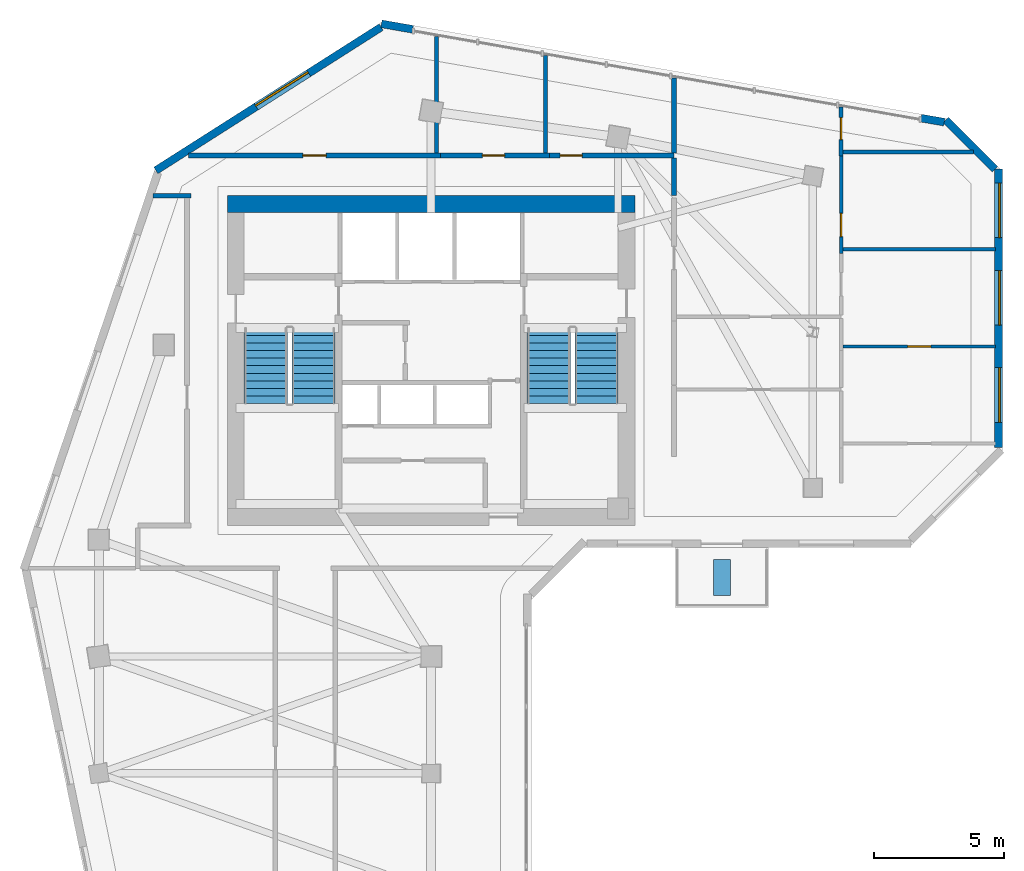
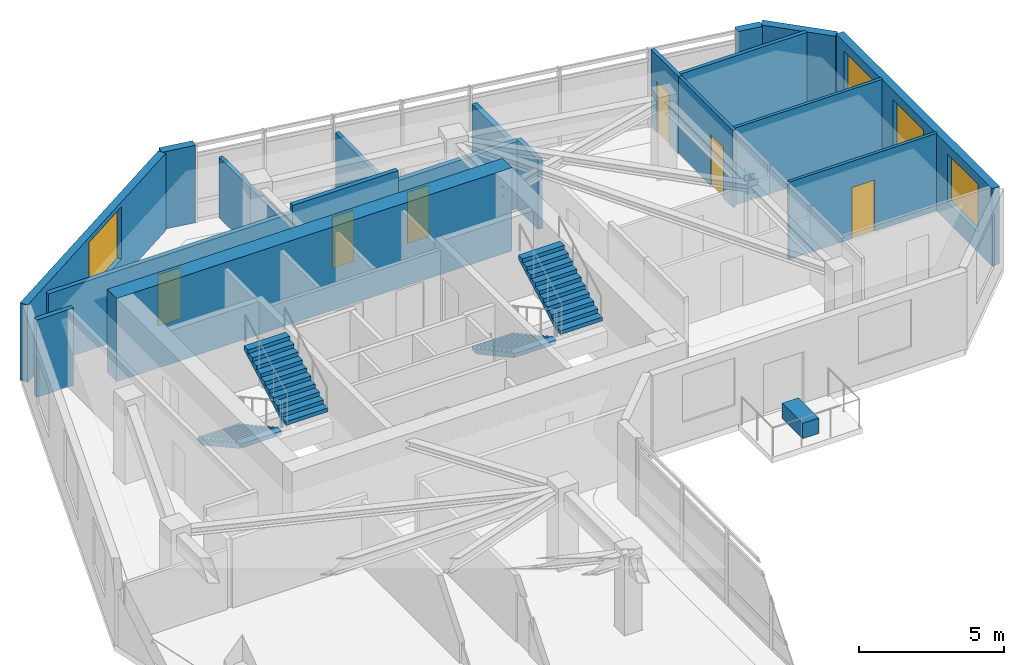
# One storey, part 6 of 9: 19 walls, 6 doors, 4 stair flights, 4 windows, 1 discrete accessory, 10 openings, 2 elements without a shape of their own.
"""IFC4 building model written with IfcOpenShell, lengths in metres."""

from ifc_helpers import new_model, si_unit, direction, frame, frame_2d, origin, origin_2d, place, context, subcontext, project, spatial, polyline, rectangle, outline, extrude, source, transform, mapped, material, layer, layer_set, type_object, element, fill, aggregate, save


model = new_model("IFC4")

# Units and contexts
model_context = context("Model", 3, precision=1e-05, world=origin(), true_north=direction((0.0, 1.0)))
body_context = subcontext(model_context, "Body", "Model", "MODEL_VIEW")
ifc_project = project(units=[si_unit("LENGTHUNIT", "METRE"), si_unit("AREAUNIT", "SQUARE_METRE"), si_unit("VOLUMEUNIT", "CUBIC_METRE"), si_unit("PLANEANGLEUNIT", "RADIAN"), si_unit("MASSUNIT", "GRAM", prefix="KILO")], contexts=[model_context])

# Site, building, storey
site_placement = place(None, origin())
site = spatial("IfcSite", under=ifc_project, at=site_placement, CompositionType="ELEMENT")
building_placement = place(site_placement, origin())
building = spatial("IfcBuilding", under=site, at=building_placement, Name="Calvemar Wedge Station Tower", CompositionType="ELEMENT")
storey_placement = place(building_placement, frame((0.0, 0.0, 232.39990234375)))
storey = spatial("IfcBuildingStorey", under=building, at=storey_placement, Name="L59", CompositionType="ELEMENT", Elevation=232.39990234375)

# Walls
ifc_material_1 = material(Name="Concrete C60", Category="concrete")
ifc_layer_1 = layer(ifc_material_1, 0.64990234375)
ifc_layer_set_1 = layer_set([ifc_layer_1], Name="Concrete C60")
wall_type_1 = type_object("IfcWallType", Name="SW-CORE-650", PredefinedType="SHEAR", material=ifc_layer_set_1)
wall_1_placement = place(storey_placement, frame((15.949951171875, 45.925048828125, 0.0), z_axis=(0.0, 0.0, 1.0), x_axis=(1.0, 0.0, 0.0)))
element("IfcWall", 1, at=wall_1_placement, inside=storey, type_object=wall_type_1, Name="Storey L59 Core Shear Wall N", PredefinedType="SHEAR", context=body_context, shape_type="SweptSolid", body=[
    extrude(rectangle(XDim=15.699951171875, YDim=0.64990234375, at=frame_2d((7.85009765625, 0.0))), origin(), (0.0, 0.0, 1.0), 3.5),
])
ifc_material_2 = material(Name="Double-stud fire-rated corridor partition")
ifc_layer_2 = layer(ifc_material_2, 0.179931640625)
ifc_layer_set_2 = layer_set([ifc_layer_2], Name="Double-stud fire-rated corridor partition")
wall_type_2 = type_object("IfcWallType", Name="W-CORR-180", PredefinedType="PARTITIONING", material=ifc_layer_set_2)
wall_2_placement = place(storey_placement, frame((14.56005859375, 46.25, 0.0), z_axis=(0.0, 0.0, 1.0), x_axis=(-1.0, 0.0, 0.0)))
element("IfcWall", 2, at=wall_2_placement, inside=storey, type_object=wall_type_2, Name="Storey L59 Interior Partition WL-L59-011", PredefinedType="PARTITIONING", context=body_context, shape_type="SweptSolid", body=[
    extrude(rectangle(XDim=1.46875, YDim=0.179931640625, at=frame_2d((0.734375, 0.0))), origin(), (0.0, 0.0, 1.0), 3.25),
])

# Wall, opening, door
wall_3_placement = place(storey_placement, frame((14.45263671875, 47.800048828125, 0.0), z_axis=(0.0, 0.0, 1.0), x_axis=(1.0, 0.0, 0.0)))
wall_3 = element("IfcWall", 3, at=wall_3_placement, inside=storey, type_object=wall_type_2, Name="Storey L59 Interior Partition WL-L59-012", PredefinedType="PARTITIONING", context=body_context, shape_type="SweptSolid", body=[
    extrude(rectangle(XDim=9.707275390625, YDim=0.179931640625, at=frame_2d((4.853515625, 0.0))), origin(), (0.0, 0.0, 1.0), 2.93408203125),
])
shared_shape_1 = source(origin(), body_context, "Body", "SweptSolid", [
    extrude(rectangle(XDim=0.89990234375, YDim=2.14990234375, at=frame_2d((0.449951171875, 1.074951171875))), frame((0.0, 0.10009765625, 0.0), z_axis=(0.0, -1.0, 0.0), x_axis=(1.0, 0.0, 0.0)), (0.0, 0.0, 1.0), 0.199951171875),
])
opening_1_placement = place(wall_3_placement, frame((4.40380859375, 0.0, 0.0)))
opening_1 = element("IfcOpeningElement", 4, at=opening_1_placement, cuts=wall_3, Name="Opening D-01", PredefinedType="OPENING", context=body_context, shape_type="MappedRepresentation", body=[
    mapped(shared_shape_1, transform((0.0, 0.0, 0.0), scale=1.0)),
])
ifc_material_3 = material(Name="Architectural hardwood acoustic swing door", Category="wood")
door_type_1 = type_object("IfcDoorType", Name="DR-INT-900", OperationType="NOTDEFINED", PredefinedType="DOOR", material=ifc_material_3)
shared_shape_2 = source(origin(), body_context, "Body", "SweptSolid", [
    extrude(rectangle(XDim=0.89990234375, YDim=2.14990234375, at=frame_2d((0.449951171875, 1.074951171875))), frame((0.0, 0.02490234375, 0.0), z_axis=(0.0, -1.0, 0.0), x_axis=(1.0, 0.0, 0.0)), (0.0, 0.0, 1.0), 0.050048828125),
])
door_1_placement = place(opening_1_placement, origin())
door_1 = element("IfcDoor", 5, at=door_1_placement, inside=storey, type_object=door_type_1, Name="L59 Cinema Club Room Door", OperationType="SINGLE_SWING_RIGHT", OverallHeight=2.14990234375, OverallWidth=0.89990234375, PredefinedType="DOOR", context=body_context, shape_type="MappedRepresentation", body=[
    mapped(shared_shape_2, transform((0.0, 0.0, 0.0), scale=1.0)),
])
fill(opening_1, door_1)

wall_4_placement = place(storey_placement, frame((24.162109375, 47.800048828125, 0.0), z_axis=(0.0, 0.0, 1.0), x_axis=(1.0, 0.0, 0.0)))
wall_4 = element("IfcWall", 6, at=wall_4_placement, inside=storey, type_object=wall_type_2, Name="Storey L59 Interior Partition WL-L59-013", PredefinedType="PARTITIONING", context=body_context, shape_type="SweptSolid", body=[
    extrude(rectangle(XDim=4.197998046875, YDim=0.179931640625, at=frame_2d((2.09912109375, 0.0))), origin(), (0.0, 0.0, 1.0), 3.25),
])
shared_shape_3 = source(origin(), body_context, "Body", "SweptSolid", [
    extrude(rectangle(XDim=0.85009765625, YDim=2.14990234375, at=frame_2d((0.425048828125, 1.074951171875))), frame((0.0, 0.10009765625, 0.0), z_axis=(0.0, -1.0, 0.0), x_axis=(1.0, 0.0, 0.0)), (0.0, 0.0, 1.0), 0.199951171875),
])
opening_2_placement = place(wall_4_placement, frame((1.61328125, 0.0, 0.0)))
opening_2 = element("IfcOpeningElement", 7, at=opening_2_placement, cuts=wall_4, Name="Opening D-02", PredefinedType="OPENING", context=body_context, shape_type="MappedRepresentation", body=[
    mapped(shared_shape_3, transform((0.0, 0.0, 0.0), scale=1.0)),
])
ifc_material_4 = material(Name="Moisture-sealed bathroom hardwood swing door", Category="wood")
door_type_2 = type_object("IfcDoorType", Name="DR-WET-850", OperationType="NOTDEFINED", PredefinedType="DOOR", material=ifc_material_4)
shared_shape_4 = source(origin(), body_context, "Body", "SweptSolid", [
    extrude(rectangle(XDim=0.85009765625, YDim=2.14990234375, at=frame_2d((0.425048828125, 1.074951171875))), frame((0.0, 0.02490234375, 0.0), z_axis=(0.0, -1.0, 0.0), x_axis=(1.0, 0.0, 0.0)), (0.0, 0.0, 1.0), 0.050048828125),
])
door_2_placement = place(opening_2_placement, origin())
door_2 = element("IfcDoor", 8, at=door_2_placement, inside=storey, type_object=door_type_2, Name="L59 Accessible WC Door", OperationType="SINGLE_SWING_LEFT", OverallHeight=2.14990234375, OverallWidth=0.85009765625, PredefinedType="DOOR", context=body_context, shape_type="MappedRepresentation", body=[
    mapped(shared_shape_4, transform((0.0, 0.0, 0.0), scale=1.0)),
])
fill(opening_2, door_2)

wall_5_placement = place(storey_placement, frame((28.362060546875, 47.800048828125, 0.0), z_axis=(0.0, 0.0, 1.0), x_axis=(1.0, 0.0, 0.0)))
wall_5 = element("IfcWall", 9, at=wall_5_placement, inside=storey, type_object=wall_type_2, Name="Storey L59 Interior Partition WL-L59-014", PredefinedType="PARTITIONING", context=body_context, shape_type="SweptSolid", body=[
    extrude(rectangle(XDim=4.787841796875, YDim=0.179931640625, at=frame_2d((2.39404296875, 0.0))), origin(), (0.0, 0.0, 1.0), 2.822021484375),
])
opening_3_placement = place(wall_5_placement, frame((0.400634765625, 0.0, 0.0)))
opening_3 = element("IfcOpeningElement", 10, at=opening_3_placement, cuts=wall_5, Name="Opening D-02", PredefinedType="OPENING", context=body_context, shape_type="MappedRepresentation", body=[
    mapped(shared_shape_3, transform((0.0, 0.0, 0.0), scale=1.0)),
])
door_3_placement = place(opening_3_placement, origin())
door_3 = element("IfcDoor", 11, at=door_3_placement, inside=storey, type_object=door_type_2, Name="L59 Storage Room Door", OperationType="SINGLE_SWING_RIGHT", OverallHeight=2.14990234375, OverallWidth=0.85009765625, PredefinedType="DOOR", context=body_context, shape_type="MappedRepresentation", body=[
    mapped(shared_shape_4, transform((0.0, 0.0, 0.0), scale=1.0)),
])
fill(opening_3, door_3)

# Walls
wall_6_placement = place(storey_placement, frame((33.14990234375, 47.7060546875, 0.0), z_axis=(0.0, 0.0, 1.0), x_axis=(0.0, -1.0, 0.0)))
element("IfcWall", 12, at=wall_6_placement, inside=storey, type_object=wall_type_2, Name="Storey L59 Interior Partition WL-L59-015", PredefinedType="PARTITIONING", context=body_context, shape_type="SweptSolid", body=[
    extrude(rectangle(XDim=1.4560546875, YDim=0.179931640625, at=frame_2d((0.72802734375, 0.0))), origin(), (0.0, 0.0, 1.0), 2.93408203125),
])
ifc_material_5 = material(Name="Twin-stud fire-rated inter-tenancy wall")
ifc_layer_3 = layer(ifc_material_5, 0.199951171875)
ifc_layer_set_3 = layer_set([ifc_layer_3], Name="Twin-stud fire-rated inter-tenancy wall")
wall_type_3 = type_object("IfcWallType", Name="W-DEMISE-200", PredefinedType="PARTITIONING", material=ifc_layer_set_3)
wall_7_placement = place(storey_placement, frame((33.14990234375, 50.783203125, 0.0), z_axis=(0.0, 0.0, 1.0), x_axis=(0.0, -1.0, 0.0)))
element("IfcWall", 13, at=wall_7_placement, inside=storey, type_object=wall_type_3, Name="Storey L59 Interior Partition WL-L59-022", PredefinedType="PARTITIONING", context=body_context, shape_type="SweptSolid", body=[
    extrude(rectangle(XDim=2.88916015625, YDim=0.199951171875, at=frame_2d((1.444580078125, 0.0))), origin(), (0.0, 0.0, 1.0), 2.5419921875),
])

# Wall, openings, windows
ifc_material_6 = material(Name="Precast concrete C45", Category="concrete")
ifc_layer_4 = layer(ifc_material_6, 0.300048828125)
ifc_layer_set_4 = layer_set([ifc_layer_4], Name="Precast concrete C45")
wall_type_4 = type_object("IfcWallType", Name="W-EXT-GFRC-300", PredefinedType="SOLIDWALL", material=ifc_layer_set_4)
wall_8_placement = place(storey_placement, frame((45.64990234375, 36.54931640625, 0.0), z_axis=(0.0, 0.0, 1.0), x_axis=(0.0, 1.0, 0.0)))
wall_8 = element("IfcWall", 14, at=wall_8_placement, inside=storey, type_object=wall_type_4, Name="Storey L59 Bronze GFRC Exterior Wall 8", PredefinedType="SOLIDWALL", context=body_context, shape_type="SweptSolid", body=[
    extrude(rectangle(XDim=10.73046875, YDim=0.300048828125, at=frame_2d((5.365234375, 0.0))), origin(), (0.0, 0.0, 1.0), 3.25),
])
shared_shape_5 = source(origin(), body_context, "Body", "SweptSolid", [
    extrude(rectangle(XDim=2.10009765625, YDim=2.0, at=frame_2d((1.050048828125, 1.0))), frame((0.0, 0.16015625, 0.0), z_axis=(0.0, -1.0, 0.0), x_axis=(1.0, 0.0, 0.0)), (0.0, 0.0, 1.0), 0.320068359375),
])
opening_4_placement = place(wall_8_placement, frame((0.97412109375, 0.0, 0.85009765625)))
opening_4 = element("IfcOpeningElement", 15, at=opening_4_placement, cuts=wall_8, Name="Opening W4", PredefinedType="OPENING", context=body_context, shape_type="MappedRepresentation", body=[
    mapped(shared_shape_5, transform((0.0, 0.0, 0.0), scale=1.0)),
])
opening_5_placement = place(wall_8_placement, frame((4.718017578125, 0.0, 0.85009765625)))
opening_5 = element("IfcOpeningElement", 16, at=opening_5_placement, cuts=wall_8, Name="Opening W4", PredefinedType="OPENING", context=body_context, shape_type="MappedRepresentation", body=[
    mapped(shared_shape_5, transform((0.0, 0.0, 0.0), scale=1.0)),
])
opening_6_placement = place(wall_8_placement, frame((8.0849609375, 0.0, 0.85009765625)))
opening_6 = element("IfcOpeningElement", 17, at=opening_6_placement, cuts=wall_8, Name="Opening W4", PredefinedType="OPENING", context=body_context, shape_type="MappedRepresentation", body=[
    mapped(shared_shape_5, transform((0.0, 0.0, 0.0), scale=1.0)),
])
ifc_material_7 = material(Name="Low-E laminated insulated glass", Category="glass")
window_type_1 = type_object("IfcWindowType", Name="WIN-EXT-4", PartitioningType="SINGLE_PANEL", PredefinedType="WINDOW", material=ifc_material_7)
shared_shape_6 = source(origin(), body_context, "Body", "SweptSolid", [
    extrude(rectangle(XDim=2.10009765625, YDim=2.0, at=frame_2d((1.050048828125, 1.0))), frame((0.0, -0.014892578125, 0.0), z_axis=(0.0, -1.0, 0.0), x_axis=(1.0, 0.0, 0.0)), (0.0, 0.0, 1.0), 0.06005859375),
])
window_1_placement = place(opening_4_placement, origin())
window_1 = element("IfcWindow", 18, at=window_1_placement, inside=storey, type_object=window_type_1, Name="Storey L59 Recessed Window 8.1", OverallHeight=2.0, OverallWidth=2.10009765625, PartitioningType="SINGLE_PANEL", PredefinedType="WINDOW", context=body_context, shape_type="MappedRepresentation", body=[
    mapped(shared_shape_6, transform((0.0, 0.0, 0.0), scale=1.0)),
])
fill(opening_4, window_1)
window_2_placement = place(opening_5_placement, origin())
window_2 = element("IfcWindow", 19, at=window_2_placement, inside=storey, type_object=window_type_1, Name="Storey L59 Recessed Window 8.2", OverallHeight=2.0, OverallWidth=2.10009765625, PartitioningType="SINGLE_PANEL", PredefinedType="WINDOW", context=body_context, shape_type="MappedRepresentation", body=[
    mapped(shared_shape_6, transform((0.0, 0.0, 0.0), scale=1.0)),
])
fill(opening_5, window_2)
window_3_placement = place(opening_6_placement, origin())
window_3 = element("IfcWindow", 20, at=window_3_placement, inside=storey, type_object=window_type_1, Name="Storey L59 Recessed Window 8.3", OverallHeight=2.0, OverallWidth=2.10009765625, PartitioningType="SINGLE_PANEL", PredefinedType="WINDOW", context=body_context, shape_type="MappedRepresentation", body=[
    mapped(shared_shape_6, transform((0.0, 0.0, 0.0), scale=1.0)),
])
fill(opening_6, window_3)

# Walls
wall_9_placement = place(storey_placement, frame((45.511962890625, 47.267822265625, 0.0), z_axis=(0.0, 0.0, 1.0), x_axis=(-0.707106781187, 0.707106781187, 0.0)))
element("IfcWall", 21, at=wall_9_placement, inside=storey, type_object=wall_type_4, Name="Storey L59 Bronze GFRC Exterior Wall 9", PredefinedType="SOLIDWALL", context=body_context, shape_type="SweptSolid", body=[
    extrude(rectangle(XDim=2.673828125, YDim=0.300048828125, at=frame_2d((1.3369140625, 0.0))), origin(), (0.0, 0.0, 1.0), 3.25),
])
wall_10_placement = place(storey_placement, frame((43.561279296875, 49.081298828125, 0.0), z_axis=(0.0, 0.0, 1.0), x_axis=(-0.985063518612, 0.172191359539, 0.0)))
element("IfcWall", 22, at=wall_10_placement, inside=storey, type_object=wall_type_4, Name="Storey L59 Bronze GFRC Corner Pier 10A", PredefinedType="SOLIDWALL", context=body_context, shape_type="SweptSolid", body=[
    extrude(rectangle(XDim=0.908935546875, YDim=0.300048828125, at=frame_2d((0.45458984375, 0.0))), origin(), (0.0, 0.0, 1.0), 3.25),
])
wall_11_placement = place(storey_placement, frame((23.093017578125, 52.65673828125, 0.0), z_axis=(0.0, 0.0, 1.0), x_axis=(-0.985090351288, 0.172037785961, 0.0)))
element("IfcWall", 23, at=wall_11_placement, inside=storey, type_object=wall_type_4, Name="Storey L59 Bronze GFRC Corner Pier 10B", PredefinedType="SOLIDWALL", context=body_context, shape_type="SweptSolid", body=[
    extrude(rectangle(XDim=1.2275390625, YDim=0.300048828125, at=frame_2d((0.61376953125, 0.0))), origin(), (0.0, 0.0, 1.0), 3.25),
])

# Wall, opening, window
wall_12_placement = place(storey_placement, frame((21.873779296875, 52.741943359375, 0.0), z_axis=(0.0, 0.0, 1.0), x_axis=(-0.84365659959, -0.536883173482, 0.0)))
wall_12 = element("IfcWall", 24, at=wall_12_placement, inside=storey, type_object=wall_type_4, Name="Storey L59 Bronze GFRC Exterior Wall 11", PredefinedType="SOLIDWALL", context=body_context, shape_type="SweptSolid", body=[
    extrude(rectangle(XDim=10.282958984375, YDim=0.300048828125, at=frame_2d((5.1416015625, 0.0))), origin(), (0.0, 0.0, 1.0), 3.25),
])
shared_shape_7 = source(origin(), body_context, "Body", "SweptSolid", [
    extrude(rectangle(XDim=2.39990234375, YDim=2.199951171875, at=frame_2d((1.199951171875, 1.10009765625))), frame((0.0, 0.16015625, 0.0), z_axis=(0.0, -1.0, 0.0), x_axis=(1.0, 0.0, 0.0)), (0.0, 0.0, 1.0), 0.320068359375),
])
opening_7_placement = place(wall_12_placement, frame((3.306884765625, 0.0, 0.85009765625)))
opening_7 = element("IfcOpeningElement", 25, at=opening_7_placement, cuts=wall_12, Name="Opening W1", PredefinedType="OPENING", context=body_context, shape_type="MappedRepresentation", body=[
    mapped(shared_shape_7, transform((0.0, 0.0, 0.0), scale=1.0)),
])
window_type_2 = type_object("IfcWindowType", Name="WIN-EXT-1", PartitioningType="SINGLE_PANEL", PredefinedType="WINDOW", material=ifc_material_7)
shared_shape_8 = source(origin(), body_context, "Body", "SweptSolid", [
    extrude(rectangle(XDim=2.39990234375, YDim=2.199951171875, at=frame_2d((1.199951171875, 1.10009765625))), frame((0.0, -0.014892578125, 0.0), z_axis=(0.0, -1.0, 0.0), x_axis=(1.0, 0.0, 0.0)), (0.0, 0.0, 1.0), 0.06005859375),
])
window_4_placement = place(opening_7_placement, origin())
window_4 = element("IfcWindow", 26, at=window_4_placement, inside=storey, type_object=window_type_2, Name="Storey L59 Recessed Window 11.1", OverallHeight=2.199951171875, OverallWidth=2.39990234375, PartitioningType="SINGLE_PANEL", PredefinedType="WINDOW", context=body_context, shape_type="MappedRepresentation", body=[
    mapped(shared_shape_8, transform((0.0, 0.0, 0.0), scale=1.0)),
])
fill(opening_7, window_4)

# Wall, opening, door
ifc_material_8 = material(Name="Insulated acoustic gypsum stud partition")
ifc_layer_5 = layer(ifc_material_8, 0.125)
ifc_layer_set_5 = layer_set([ifc_layer_5], Name="Insulated acoustic gypsum stud partition")
wall_type_5 = type_object("IfcWallType", Name="W-PART-125", PredefinedType="PARTITIONING", material=ifc_layer_set_5)
wall_13_placement = place(storey_placement, frame((39.590087890625, 47.77099609375, 0.0), z_axis=(0.0, 0.0, 1.0), x_axis=(0.0, -1.0, 0.0)))
wall_13 = element("IfcWall", 27, at=wall_13_placement, inside=storey, type_object=wall_type_5, Name="Storey L59 Interior Partition WL-L59-028", PredefinedType="PARTITIONING", context=body_context, shape_type="SweptSolid", body=[
    extrude(rectangle(XDim=3.741943359375, YDim=0.125, at=frame_2d((1.87109375, 0.0))), origin(), (0.0, 0.0, 1.0), 3.25),
])
shared_shape_9 = source(origin(), body_context, "Body", "SweptSolid", [
    extrude(rectangle(XDim=0.89990234375, YDim=2.14990234375, at=frame_2d((0.449951171875, 1.074951171875))), frame((0.0, 0.072509765625, 0.0), z_axis=(0.0, -1.0, 0.0), x_axis=(1.0, 0.0, 0.0)), (0.0, 0.0, 1.0), 0.14501953125),
])
opening_8_placement = place(wall_13_placement, frame((2.20166015625, 0.0, 0.0)))
opening_8 = element("IfcOpeningElement", 28, at=opening_8_placement, cuts=wall_13, Name="Opening D-01", PredefinedType="OPENING", context=body_context, shape_type="MappedRepresentation", body=[
    mapped(shared_shape_9, transform((0.0, 0.0, 0.0), scale=1.0)),
])
door_4_placement = place(opening_8_placement, origin())
door_4 = element("IfcDoor", 29, at=door_4_placement, inside=storey, type_object=door_type_1, Name="L59 Master Bedroom Door", OperationType="SINGLE_SWING_LEFT", OverallHeight=2.14990234375, OverallWidth=0.89990234375, PredefinedType="DOOR", context=body_context, shape_type="MappedRepresentation", body=[
    mapped(shared_shape_2, transform((0.0, 0.0, 0.0), scale=1.0)),
])
fill(opening_8, door_4)

# Wall
wall_14_placement = place(storey_placement, frame((45.534912109375, 44.18896484375, 0.0), z_axis=(0.0, 0.0, 1.0), x_axis=(-1.0, 0.0, 0.0)))
element("IfcWall", 30, at=wall_14_placement, inside=storey, type_object=wall_type_5, Name="Storey L59 Interior Partition WL-L59-033", PredefinedType="PARTITIONING", context=body_context, shape_type="SweptSolid", body=[
    extrude(rectangle(XDim=5.87841796875, YDim=0.125, at=frame_2d((2.939208984375, 0.0))), origin(), (0.0, 0.0, 1.0), 3.25),
])

# Wall, opening, door
wall_15_placement = place(storey_placement, frame((45.534912109375, 40.445068359375, 0.0), z_axis=(0.0, 0.0, 1.0), x_axis=(-1.0, 0.0, 0.0)))
wall_15 = element("IfcWall", 31, at=wall_15_placement, inside=storey, type_object=wall_type_5, Name="Storey L59 Interior Partition WL-L59-034", PredefinedType="PARTITIONING", context=body_context, shape_type="SweptSolid", body=[
    extrude(rectangle(XDim=5.87841796875, YDim=0.125, at=frame_2d((2.939208984375, 0.0))), origin(), (0.0, 0.0, 1.0), 3.25),
])
opening_9_placement = place(wall_15_placement, frame((2.4892578125, 0.0, 0.0)))
opening_9 = element("IfcOpeningElement", 32, at=opening_9_placement, cuts=wall_15, Name="Opening D-01", PredefinedType="OPENING", context=body_context, shape_type="MappedRepresentation", body=[
    mapped(shared_shape_9, transform((0.0, 0.0, 0.0), scale=1.0)),
])
door_5_placement = place(opening_9_placement, origin())
door_5 = element("IfcDoor", 33, at=door_5_placement, inside=storey, type_object=door_type_1, Name="L59 Bedroom Door", OperationType="SINGLE_SWING_LEFT", OverallHeight=2.14990234375, OverallWidth=0.89990234375, PredefinedType="DOOR", context=body_context, shape_type="MappedRepresentation", body=[
    mapped(shared_shape_2, transform((0.0, 0.0, 0.0), scale=1.0)),
])
fill(opening_9, door_5)

# Walls
ifc_material_9 = material(Name="Moisture-resistant acoustic bathroom partition")
ifc_layer_6 = layer(ifc_material_9, 0.14990234375)
ifc_layer_set_6 = layer_set([ifc_layer_6], Name="Moisture-resistant acoustic bathroom partition")
wall_type_6 = type_object("IfcWallType", Name="W-WET-150", PredefinedType="PARTITIONING", material=ifc_layer_set_6)
wall_16_placement = place(storey_placement, frame((24.0, 52.381591796875, 0.0), z_axis=(0.0, 0.0, 1.0), x_axis=(0.0, -1.0, 0.0)))
element("IfcWall", 34, at=wall_16_placement, inside=storey, type_object=wall_type_6, Name="Storey L59 Interior Partition WL-L59-020", PredefinedType="PARTITIONING", context=body_context, shape_type="SweptSolid", body=[
    extrude(rectangle(XDim=4.487548828125, YDim=0.14990234375, at=frame_2d((2.24365234375, 0.0))), origin(), (0.0, 0.0, 1.0), 2.5419921875),
])
wall_17_placement = place(storey_placement, frame((28.199951171875, 51.64794921875, 0.0), z_axis=(0.0, 0.0, 1.0), x_axis=(0.0, -1.0, 0.0)))
element("IfcWall", 35, at=wall_17_placement, inside=storey, type_object=wall_type_6, Name="Storey L59 Interior Partition WL-L59-021", PredefinedType="PARTITIONING", context=body_context, shape_type="SweptSolid", body=[
    extrude(rectangle(XDim=3.75390625, YDim=0.14990234375, at=frame_2d((1.876953125, 0.0))), origin(), (0.0, 0.0, 1.0), 2.5419921875),
])

# Wall, opening, door
wall_18_placement = place(storey_placement, frame((39.590087890625, 49.658447265625, 0.0), z_axis=(0.0, 0.0, 1.0), x_axis=(0.0, -1.0, 0.0)))
wall_18 = element("IfcWall", 36, at=wall_18_placement, inside=storey, type_object=wall_type_6, Name="Storey L59 Interior Partition WL-L59-027", PredefinedType="PARTITIONING", context=body_context, shape_type="SweptSolid", body=[
    extrude(rectangle(XDim=1.885498046875, YDim=0.14990234375, at=frame_2d((0.94287109375, 0.0))), origin(), (0.0, 0.0, 1.0), 3.25),
])
shared_shape_10 = source(origin(), body_context, "Body", "SweptSolid", [
    extrude(rectangle(XDim=0.85009765625, YDim=2.14990234375, at=frame_2d((0.425048828125, 1.074951171875))), frame((0.0, 0.0849609375, 0.0), z_axis=(0.0, -1.0, 0.0), x_axis=(1.0, 0.0, 0.0)), (0.0, 0.0, 1.0), 0.169921875),
])
opening_10_placement = place(wall_18_placement, frame((0.398681640625, 0.0, 0.0)))
opening_10 = element("IfcOpeningElement", 37, at=opening_10_placement, cuts=wall_18, Name="Opening D-02", PredefinedType="OPENING", context=body_context, shape_type="MappedRepresentation", body=[
    mapped(shared_shape_10, transform((0.0, 0.0, 0.0), scale=1.0)),
])
door_6_placement = place(opening_10_placement, origin())
door_6 = element("IfcDoor", 38, at=door_6_placement, inside=storey, type_object=door_type_2, Name="L59 Bathroom Door", OperationType="SINGLE_SWING_RIGHT", OverallHeight=2.14990234375, OverallWidth=0.85009765625, PredefinedType="DOOR", context=body_context, shape_type="MappedRepresentation", body=[
    mapped(shared_shape_4, transform((0.0, 0.0, 0.0), scale=1.0)),
])
fill(opening_10, door_6)

# Wall
wall_19_placement = place(storey_placement, frame((44.68408203125, 47.93310546875, 0.0), z_axis=(0.0, 0.0, 1.0), x_axis=(-1.0, 0.0, 0.0)))
element("IfcWall", 39, at=wall_19_placement, inside=storey, type_object=wall_type_6, Name="Storey L59 Interior Partition WL-L59-032", PredefinedType="PARTITIONING", context=body_context, shape_type="SweptSolid", body=[
    extrude(rectangle(XDim=5.01513671875, YDim=0.14990234375, at=frame_2d((2.507568359375, 0.0))), origin(), (0.0, 0.0, 1.0), 3.25),
])

# Stair, stair flights
ifc_material_10 = material(Name="Concrete C45", Category="concrete")
stair_type = type_object("IfcStairType", Name="ST-TYPE-3500", PredefinedType="HALF_TURN_STAIR", material=ifc_material_10)
stair_1_placement = place(storey_placement, origin())
stair_1 = element("IfcStair", 40, at=stair_1_placement, inside=storey, type_object=stair_type, Name="L59 Pressurized Core Exit Stair ST-C1", PredefinedType="HALF_TURN_STAIR")
stair_flight_type = type_object("IfcStairFlightType", Name="STF-TYPE-3500", PredefinedType="STRAIGHT", material=ifc_material_10)
stair_flight_1_placement = place(storey_placement, frame((17.429931640625, 41.14990234375, 0.0), z_axis=(0.0, 0.0, 1.0), x_axis=(0.0, -1.0, 0.0)))
stair_flight_1 = element("IfcStairFlight", 41, at=stair_flight_1_placement, type_object=stair_flight_type, Name="ST-C1 flight 1", NumberOfRisers=11, NumberOfTreads=10, PredefinedType="STRAIGHT", RiserHeight=0.159090909, TreadLength=0.29, context=body_context, shape_type="SweptSolid", body=[
    extrude(outline(polyline([(0.0, 0.0), (0.0, 0.1591796875), (0.2900390625, 0.1591796875), (0.2900390625, 0.318115234375), (0.580078125, 0.318115234375), (0.580078125, 0.477294921875), (0.8701171875, 0.477294921875), (0.8701171875, 0.636474609375), (1.159912109375, 0.636474609375), (1.159912109375, 0.79541015625), (1.449951171875, 0.79541015625), (1.449951171875, 0.95458984375), (1.739990234375, 0.95458984375), (1.739990234375, 1.113525390625), (2.030029296875, 1.113525390625), (2.030029296875, 1.272705078125), (2.320068359375, 1.272705078125), (2.320068359375, 1.431884765625), (2.610107421875, 1.431884765625), (2.610107421875, 1.5908203125), (2.89990234375, 1.5908203125), (2.89990234375, 1.75), (2.89990234375, 1.419921875), (0.311767578125, 0.0), (0.0, 0.0)])), frame((0.0, 0.830078125, 0.0), z_axis=(0.0, -1.0, 0.0), x_axis=(1.0, 0.0, 0.0)), (0.0, 0.0, 1.0), 1.659912109375),
])
stair_flight_2_placement = place(storey_placement, frame((19.27001953125, 38.25, 1.75), z_axis=(0.0, 0.0, 1.0), x_axis=(0.0, 1.0, 0.0)))
stair_flight_2 = element("IfcStairFlight", 42, at=stair_flight_2_placement, type_object=stair_flight_type, Name="ST-C1 flight 2", NumberOfRisers=11, NumberOfTreads=10, PredefinedType="STRAIGHT", RiserHeight=0.159090909, TreadLength=0.29, context=body_context, shape_type="SweptSolid", body=[
    extrude(outline(polyline([(0.0, 0.0), (0.0, 0.1591796875), (0.2900390625, 0.1591796875), (0.2900390625, 0.318115234375), (0.580078125, 0.318115234375), (0.580078125, 0.477294921875), (0.8701171875, 0.477294921875), (0.8701171875, 0.636474609375), (1.159912109375, 0.636474609375), (1.159912109375, 0.79541015625), (1.449951171875, 0.79541015625), (1.449951171875, 0.95458984375), (1.739990234375, 0.95458984375), (1.739990234375, 1.113525390625), (2.030029296875, 1.113525390625), (2.030029296875, 1.272705078125), (2.320068359375, 1.272705078125), (2.320068359375, 1.431884765625), (2.610107421875, 1.431884765625), (2.610107421875, 1.5908203125), (2.89990234375, 1.5908203125), (2.89990234375, 1.75), (2.89990234375, 1.419921875), (0.311767578125, 0.0), (0.0, 0.0)])), frame((0.0, 0.830078125, 0.0), z_axis=(0.0, -1.0, 0.0), x_axis=(1.0, 0.0, 0.0)), (0.0, 0.0, 1.0), 1.659912109375),
])
aggregate(stair_1, [stair_flight_1, stair_flight_2])

stair_2_placement = place(storey_placement, origin())
stair_2 = element("IfcStair", 43, at=stair_2_placement, inside=storey, type_object=stair_type, Name="L59 Pressurized Core Exit Stair ST-C2", PredefinedType="HALF_TURN_STAIR")
stair_flight_3_placement = place(storey_placement, frame((28.330078125, 41.14990234375, 0.0), z_axis=(0.0, 0.0, 1.0), x_axis=(0.0, -1.0, 0.0)))
stair_flight_3 = element("IfcStairFlight", 44, at=stair_flight_3_placement, type_object=stair_flight_type, Name="ST-C2 flight 1", NumberOfRisers=11, NumberOfTreads=10, PredefinedType="STRAIGHT", RiserHeight=0.159090909, TreadLength=0.29, context=body_context, shape_type="SweptSolid", body=[
    extrude(outline(polyline([(0.0, 0.0), (0.0, 0.1591796875), (0.2900390625, 0.1591796875), (0.2900390625, 0.318115234375), (0.580078125, 0.318115234375), (0.580078125, 0.477294921875), (0.8701171875, 0.477294921875), (0.8701171875, 0.636474609375), (1.159912109375, 0.636474609375), (1.159912109375, 0.79541015625), (1.449951171875, 0.79541015625), (1.449951171875, 0.95458984375), (1.739990234375, 0.95458984375), (1.739990234375, 1.113525390625), (2.030029296875, 1.113525390625), (2.030029296875, 1.272705078125), (2.320068359375, 1.272705078125), (2.320068359375, 1.431884765625), (2.610107421875, 1.431884765625), (2.610107421875, 1.5908203125), (2.89990234375, 1.5908203125), (2.89990234375, 1.75), (2.89990234375, 1.419921875), (0.311767578125, 0.0), (0.0, 0.0)])), frame((0.0, 0.830078125, 0.0), z_axis=(0.0, -1.0, 0.0), x_axis=(1.0, 0.0, 0.0)), (0.0, 0.0, 1.0), 1.659912109375),
])
stair_flight_4_placement = place(storey_placement, frame((30.169921875, 38.25, 1.75), z_axis=(0.0, 0.0, 1.0), x_axis=(0.0, 1.0, 0.0)))
stair_flight_4 = element("IfcStairFlight", 45, at=stair_flight_4_placement, type_object=stair_flight_type, Name="ST-C2 flight 2", NumberOfRisers=11, NumberOfTreads=10, PredefinedType="STRAIGHT", RiserHeight=0.159090909, TreadLength=0.29, context=body_context, shape_type="SweptSolid", body=[
    extrude(outline(polyline([(0.0, 0.0), (0.0, 0.1591796875), (0.2900390625, 0.1591796875), (0.2900390625, 0.318115234375), (0.580078125, 0.318115234375), (0.580078125, 0.477294921875), (0.8701171875, 0.477294921875), (0.8701171875, 0.636474609375), (1.159912109375, 0.636474609375), (1.159912109375, 0.79541015625), (1.449951171875, 0.79541015625), (1.449951171875, 0.95458984375), (1.739990234375, 0.95458984375), (1.739990234375, 1.113525390625), (2.030029296875, 1.113525390625), (2.030029296875, 1.272705078125), (2.320068359375, 1.272705078125), (2.320068359375, 1.431884765625), (2.610107421875, 1.431884765625), (2.610107421875, 1.5908203125), (2.89990234375, 1.5908203125), (2.89990234375, 1.75), (2.89990234375, 1.419921875), (0.311767578125, 0.0), (0.0, 0.0)])), frame((0.0, 0.830078125, 0.0), z_axis=(0.0, -1.0, 0.0), x_axis=(1.0, 0.0, 0.0)), (0.0, 0.0, 1.0), 1.659912109375),
])
aggregate(stair_2, [stair_flight_3, stair_flight_4])

# Discrete accessory
discrete_accessory_type = type_object("IfcDiscreteAccessoryType", Name="ACC-PLANTER", PredefinedType="USERDEFINED", material=ifc_material_6)
shared_shape_11 = source(origin(), body_context, "Body", "SweptSolid", [
    extrude(rectangle(XDim=0.64990234375, YDim=1.39990234375, at=origin_2d()), origin(), (0.0, 0.0, 1.0), 0.64990234375),
])
discrete_accessory_placement = place(storey_placement, frame((35.0, 31.5419921875, 0.000244140625), z_axis=(0.0, 0.0, 1.0), x_axis=(1.0, 0.0, 0.0)))
element("IfcDiscreteAccessory", 46, at=discrete_accessory_placement, inside=storey, type_object=discrete_accessory_type, Name="Storey L59 Planted Terrace GFRC Planter", ObjectType="PLANTER", PredefinedType="USERDEFINED", context=body_context, shape_type="MappedRepresentation", body=[
    mapped(shared_shape_11, transform((0.0, 0.0, 0.0), scale=1.0)),
])

save(model, "model.ifc")
